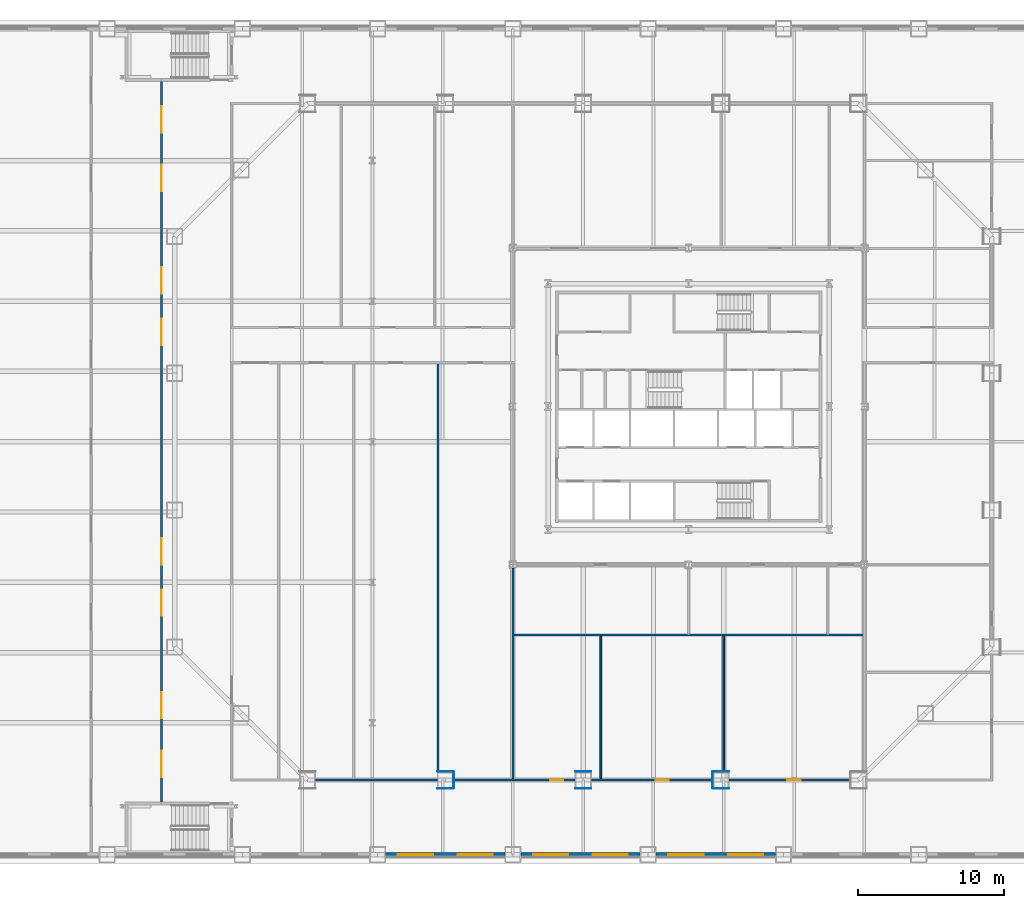
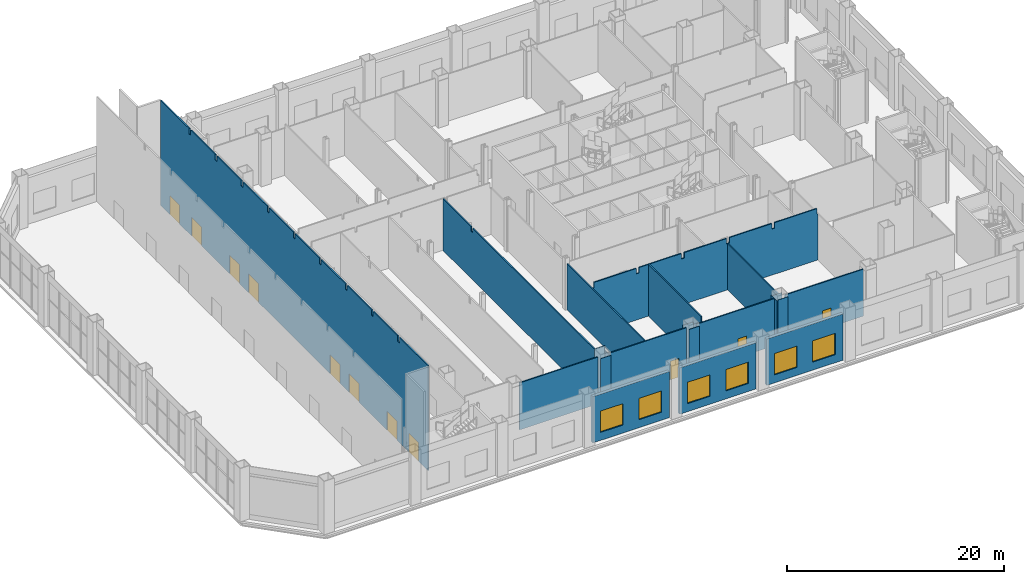
# One storey, part 17 of 31: 21 walls, 11 doors, 6 windows, 17 openings.
"""IFC4 building model written with IfcOpenShell, lengths in metres."""

import ifcopenshell
import ifcopenshell.guid

model = None  # the IFC model being written
_history = None  # IfcOwnerHistory: only IFC2X3 demands one
_inside = {}  # id of a spatial element -> (the spatial element, [elements in it])
_under = {}  # id of a project, library or spatial element -> (it, [spatial elements below it])
_declared = {}  # id of a project -> (the project, [libraries it declares])
_typed = {}  # id of a type object -> (the type object, [elements of that type])
_made_of = {}  # id of a material, layer set ... -> (it, [elements and type objects made of it])


def new_model(schema):
    """Start an empty IFC model of exactly this schema.

    Asked for "IFC4X3", IfcOpenShell would pick the latest addendum, in which some entities
    have other attributes; the version numbers below select the first issue.
    IFC2X3 requires an IfcOwnerHistory on every rooted entity: one is made here for all.
    """
    global model, _history
    if schema == "IFC4X3":
        model = ifcopenshell.file(schema_version=(4, 3, 0, 0))
    else:
        model = ifcopenshell.file(schema=schema)
    _inside.clear()
    _under.clear()
    _declared.clear()
    _typed.clear()
    _made_of.clear()
    _history = None
    if model.schema == "IFC2X3":
        org = make("IfcOrganization", Name="unknown")
        user = make(
            "IfcPersonAndOrganization",
            ThePerson=make("IfcPerson", FamilyName="unknown"),
            TheOrganization=org,
        )
        app = make(
            "IfcApplication",
            ApplicationDeveloper=org,
            Version="unknown",
            ApplicationFullName="unknown",
            ApplicationIdentifier="unknown",
        )
        _history = make(
            "IfcOwnerHistory",
            OwningUser=user,
            OwningApplication=app,
            ChangeAction="ADDED",
            CreationDate=0,
        )
    return model


def make(cls, **values):
    """One entity of the class cls with the attributes given. An attribute that is None is left unset."""
    return model.create_entity(
        cls, **{name: value for name, value in values.items() if value is not None}
    )


def rooted(cls, **values):
    """An entity with a GlobalId (a new one), such as an element, a storey or a relation."""
    return make(cls, GlobalId=ifcopenshell.guid.new(), OwnerHistory=_history, **values)


def si_unit(unit_type, name, prefix=None):
    """IfcSIUnit, for example si_unit("LENGTHUNIT", "METRE", prefix="MILLI")."""
    return make("IfcSIUnit", UnitType=unit_type, Prefix=prefix, Name=name)


def assignment(units):
    """IfcUnitAssignment: the units of a project."""
    return None if units is None else make("IfcUnitAssignment", Units=units)


def point(xyz):
    """IfcCartesianPoint."""
    return None if xyz is None else make("IfcCartesianPoint", Coordinates=xyz)


def direction(xyz):
    """IfcDirection."""
    return None if xyz is None else make("IfcDirection", DirectionRatios=xyz)


def frame(location, z_axis=None, x_axis=None):
    """IfcAxis2Placement3D, a coordinate frame: its origin and axes. An axis left out is left unset."""
    return make(
        "IfcAxis2Placement3D",
        Location=point(location),
        Axis=direction(z_axis),
        RefDirection=direction(x_axis),
    )


def frame_2d(location, x_axis=None):
    """IfcAxis2Placement2D, a coordinate frame in the plane: its origin and x axis."""
    return make(
        "IfcAxis2Placement2D", Location=point(location), RefDirection=direction(x_axis)
    )


def origin():
    """The frame at (0, 0, 0) with its axes left unset."""
    return frame((0.0, 0.0, 0.0))


def place(relative_to, where):
    """IfcLocalPlacement: puts the frame where relative to a parent placement (None: the world)."""
    return make(
        "IfcLocalPlacement", PlacementRelTo=relative_to, RelativePlacement=where
    )


def context(
    kind, dimensions, precision=None, world=None, true_north=None, identifier=None
):
    """IfcGeometricRepresentationContext, for example the 3D "Model" context."""
    return make(
        "IfcGeometricRepresentationContext",
        ContextIdentifier=identifier,
        ContextType=kind,
        CoordinateSpaceDimension=dimensions,
        Precision=precision,
        WorldCoordinateSystem=world,
        TrueNorth=true_north,
    )


def subcontext(parent, identifier, kind, view, scale=None):
    """IfcGeometricRepresentationSubContext, for example "Body" below "Model"."""
    return make(
        "IfcGeometricRepresentationSubContext",
        ContextIdentifier=identifier,
        ContextType=kind,
        ParentContext=parent,
        TargetScale=scale,
        TargetView=view,
    )


def project(units=None, contexts=None):
    """IfcProject with its units and contexts."""
    return rooted(
        "IfcProject",
        Name="project",
        RepresentationContexts=contexts,
        UnitsInContext=assignment(units),
    )


def spatial(cls, under=None, at=None, **own):
    """A site, building, storey or space (cls), placed at a placement, below another one or the project."""
    s = rooted(cls, ObjectPlacement=at, **own)
    if under is not None:
        _under.setdefault(under.id(), (under, []))[1].append(s)
    return s


def polyline(points):
    """IfcPolyline through the points."""
    return make("IfcPolyline", Points=[point(p) for p in points])


def profile(cls, at=None, kind="AREA", **sizes):
    """A parametric profile (cls). Its sizes go by their IFC names, for example OverallWidth=200.0."""
    return make(cls, ProfileType=kind, Position=at, **sizes)


def rectangle(**sizes):
    """IfcRectangleProfileDef."""
    return profile("IfcRectangleProfileDef", **sizes)


def outline(outer, holes=None, kind="AREA"):
    """IfcArbitraryClosedProfileDef: a profile drawn as a closed curve; with holes, ...WithVoids."""
    if holes is None:
        return make("IfcArbitraryClosedProfileDef", ProfileType=kind, OuterCurve=outer)
    return make(
        "IfcArbitraryProfileDefWithVoids",
        ProfileType=kind,
        OuterCurve=outer,
        InnerCurves=holes,
    )


def extrude(swept, where, along, depth):
    """IfcExtrudedAreaSolid: the profile swept, set in the frame where, extruded along a direction by depth."""
    return make(
        "IfcExtrudedAreaSolid",
        SweptArea=swept,
        Position=where,
        ExtrudedDirection=direction(along),
        Depth=depth,
    )


def shape(context_of_items, identifier, shape_type, items):
    """IfcShapeRepresentation: the items that make up one representation, for example the "Body"."""
    return make(
        "IfcShapeRepresentation",
        ContextOfItems=context_of_items,
        RepresentationIdentifier=identifier,
        RepresentationType=shape_type,
        Items=items,
    )


def material(Name=None, Category=None):
    """IfcMaterial."""
    return make("IfcMaterial", Name=Name, Category=Category)


def layer(
    of_material, thickness, ventilated=None, Name=None, Category=None, Priority=None
):
    """IfcMaterialLayer: one layer of a wall or slab, of a material (None: an air gap)."""
    return make(
        "IfcMaterialLayer",
        Material=of_material,
        LayerThickness=thickness,
        IsVentilated=ventilated,
        Name=Name,
        Category=Category,
        Priority=Priority,
    )


def layer_set(layers, Name=None):
    """IfcMaterialLayerSet."""
    return make("IfcMaterialLayerSet", MaterialLayers=layers, LayerSetName=Name)


def made_of(thing, what):
    """Note that an element or type object is made of a material, layer set ...; save() writes the relation."""
    if what is not None:
        _made_of.setdefault(what.id(), (what, []))[1].append(thing)
    return thing


def type_object(cls, material=None, **own):
    """A type object (cls), such as IfcWallType, which elements share."""
    return made_of(rooted(cls, **own), material)


def element(
    cls,
    number,
    at=None,
    inside=None,
    cuts=None,
    type_object=None,
    material=None,
    context=None,
    identifier="Body",
    shape_type=None,
    held_by="IfcProductDefinitionShape",
    body=None,
    shapes=None,
    **own,
):
    """One element of the class cls, such as IfcWall. Its Tag is "e" and its number.

    at: its placement. inside: the storey or other place that contains it. cuts: it is an
    opening in that element (IfcRelVoidsElement). A single representation is given by context,
    identifier, shape_type and body (its items); several are given by shapes. held_by: the class
    of the entity that holds the representations. save() writes the other relations.
    """
    e = rooted(cls, Tag="e%d" % number, ObjectPlacement=at, **own)
    if body is not None:
        shapes = [shape(context, identifier, shape_type, body)]
    if shapes is not None:
        e.Representation = make(held_by, Representations=shapes)
    if inside is not None:
        _inside.setdefault(inside.id(), (inside, []))[1].append(e)
    if cuts is not None:
        rooted(
            "IfcRelVoidsElement", RelatingBuildingElement=cuts, RelatedOpeningElement=e
        )
    if type_object is not None:
        _typed.setdefault(type_object.id(), (type_object, []))[1].append(e)
    return made_of(e, material)


def fill(opening, filler):
    """IfcRelFillsElement: the door or window that sits in an opening."""
    return rooted(
        "IfcRelFillsElement",
        RelatingOpeningElement=opening,
        RelatedBuildingElement=filler,
    )


def aggregate(whole, parts):
    """IfcRelAggregates: a whole, such as a stair, and the parts it consists of."""
    return rooted("IfcRelAggregates", RelatingObject=whole, RelatedObjects=parts)


def save(model, path):
    """Write the relations noted so far, then the file.

    IfcRelAggregates (storeys below a building ...), IfcRelContainedInSpatialStructure (elements
    in a storey), IfcRelDefinesByType, IfcRelAssociatesMaterial and IfcRelDeclares: one each for
    every whole, place, type object, material and project.
    """
    for whole, parts in _under.values():
        aggregate(whole, parts)
    for where, things in _inside.values():
        rooted(
            "IfcRelContainedInSpatialStructure",
            RelatedElements=things,
            RelatingStructure=where,
        )
    for kind, things in _typed.values():
        rooted("IfcRelDefinesByType", RelatedObjects=things, RelatingType=kind)
    for what, things in _made_of.values():
        rooted("IfcRelAssociatesMaterial", RelatedObjects=things, RelatingMaterial=what)
    for by, libraries in _declared.values():
        rooted("IfcRelDeclares", RelatingContext=by, RelatedDefinitions=libraries)
    model.write(path)


model = new_model("IFC4")

# Units and contexts
model_context = context("Model", 3, precision=1e-05, world=origin(), true_north=direction((0.0, 1.0)))
body_context = subcontext(model_context, "Body", "Model", "MODEL_VIEW")
ifc_project = project(units=[si_unit("LENGTHUNIT", "METRE"), si_unit("AREAUNIT", "SQUARE_METRE"), si_unit("VOLUMEUNIT", "CUBIC_METRE"), si_unit("PLANEANGLEUNIT", "RADIAN"), si_unit("MASSUNIT", "GRAM", prefix="KILO")], contexts=[model_context])

# Site, building, storey
site_placement = place(None, origin())
site = spatial("IfcSite", under=ifc_project, at=site_placement, CompositionType="ELEMENT")
building_placement = place(site_placement, origin())
building = spatial("IfcBuilding", under=site, at=building_placement, Name="Cairn Pilgrim Tower", CompositionType="ELEMENT")
storey_placement = place(building_placement, frame((0.0, 0.0, 9.0)))
storey = spatial("IfcBuildingStorey", under=building, at=storey_placement, Name="L01", CompositionType="ELEMENT", Elevation=9.0)

# Wall, openings, doors
ifc_material_1 = material(Name="Gypsum partition")
ifc_layer_1 = layer(ifc_material_1, 0.125)
ifc_layer_set_1 = layer_set([ifc_layer_1], Name="PARTITION 125 DRYWALL EI 60")
wall_type_1 = type_object("IfcWallType", Name="PARTITION 125 DRYWALL EI 60", PredefinedType="PARTITIONING", material=ifc_layer_set_1)
wall_1_placement = place(storey_placement, frame((-28.800048828125, -24.60009765625, 0.0), z_axis=(0.0, 0.0, 1.0), x_axis=(0.0, 1.0, 0.0)))
wall_1 = element("IfcWall", 1, at=wall_1_placement, inside=storey, type_object=wall_type_1, Name="PARTITION W009", PredefinedType="PARTITIONING", context=body_context, shape_type="SweptSolid", body=[
    extrude(outline(polyline([(0.0, 0.0), (49.2001953125, 0.0), (49.199951171875, 11.800048828125), (43.949951171875, 11.800048828125), (43.947998046875, 11.179931640625), (43.64990234375, 11.179931640625), (43.64794921875, 11.800048828125), (39.14990234375, 11.800048828125), (39.14794921875, 11.179931640625), (38.85009765625, 11.179931640625), (38.847900390625, 11.800048828125), (34.35009765625, 11.800048828125), (34.347900390625, 11.179931640625), (34.050048828125, 11.179931640625), (34.048095703125, 11.800048828125), (29.550048828125, 11.800048828125), (29.548095703125, 11.179931640625), (29.25, 11.179931640625), (29.248046875, 11.800048828125), (24.75, 11.800048828125), (24.748046875, 11.179931640625), (24.449951171875, 11.179931640625), (24.447998046875, 11.800048828125), (19.949951171875, 11.800048828125), (19.947998046875, 11.179931640625), (19.64990234375, 11.179931640625), (19.64794921875, 11.800048828125), (15.14990234375, 11.800048828125), (15.14794921875, 11.179931640625), (14.85009765625, 11.179931640625), (14.847900390625, 11.800048828125), (10.35009765625, 11.800048828125), (10.347900390625, 11.179931640625), (10.050048828125, 11.179931640625), (10.048095703125, 11.800048828125), (5.550048828125, 11.800048828125), (5.548095703125, 11.179931640625), (5.25, 11.179931640625), (5.248046875, 11.800048828125), (0.0, 11.800048828125), (0.0, 0.0)])), frame((0.0, 0.0625, 0.0), z_axis=(0.0, -1.0, 0.0), x_axis=(1.0, 0.0, 0.0)), (0.0, 0.0, 1.0), 0.125),
])
opening_1_placement = place(wall_1_placement, frame((1.699951171875, 0.0, 0.0)))
opening_1 = element("IfcOpeningElement", 2, at=opening_1_placement, cuts=wall_1, Name="Opening 0142", PredefinedType="OPENING", context=body_context, shape_type="SweptSolid", body=[
    extrude(rectangle(XDim=1.800048828125, YDim=2.10009765625, at=frame_2d((0.89990234375, 1.050048828125))), frame((0.0, 0.072509765625, 0.0), z_axis=(0.0, -1.0, 0.0), x_axis=(1.0, 0.0, 0.0)), (0.0, 0.0, 1.0), 0.14501953125),
])
opening_2_placement = place(wall_1_placement, frame((5.699951171875, 0.0, 0.0)))
opening_2 = element("IfcOpeningElement", 3, at=opening_2_placement, cuts=wall_1, Name="Opening 0143", PredefinedType="OPENING", context=body_context, shape_type="SweptSolid", body=[
    extrude(rectangle(XDim=1.800048828125, YDim=2.10009765625, at=frame_2d((0.89990234375, 1.050048828125))), frame((0.0, 0.072509765625, 0.0), z_axis=(0.0, -1.0, 0.0), x_axis=(1.0, 0.0, 0.0)), (0.0, 0.0, 1.0), 0.14501953125),
])
opening_3_placement = place(wall_1_placement, frame((12.699951171875, 0.0, 0.0)))
opening_3 = element("IfcOpeningElement", 4, at=opening_3_placement, cuts=wall_1, Name="Opening 0144", PredefinedType="OPENING", context=body_context, shape_type="SweptSolid", body=[
    extrude(rectangle(XDim=1.800048828125, YDim=2.10009765625, at=frame_2d((0.89990234375, 1.050048828125))), frame((0.0, 0.072509765625, 0.0), z_axis=(0.0, -1.0, 0.0), x_axis=(1.0, 0.0, 0.0)), (0.0, 0.0, 1.0), 0.14501953125),
])
opening_4_placement = place(wall_1_placement, frame((16.199951171875, 0.0, 0.0)))
opening_4 = element("IfcOpeningElement", 5, at=opening_4_placement, cuts=wall_1, Name="Opening 0145", PredefinedType="OPENING", context=body_context, shape_type="SweptSolid", body=[
    extrude(rectangle(XDim=1.800048828125, YDim=2.10009765625, at=frame_2d((0.89990234375, 1.050048828125))), frame((0.0, 0.072509765625, 0.0), z_axis=(0.0, -1.0, 0.0), x_axis=(1.0, 0.0, 0.0)), (0.0, 0.0, 1.0), 0.14501953125),
])
opening_5_placement = place(wall_1_placement, frame((31.199951171875, 0.0, 0.0)))
opening_5 = element("IfcOpeningElement", 6, at=opening_5_placement, cuts=wall_1, Name="Opening 0146", PredefinedType="OPENING", context=body_context, shape_type="SweptSolid", body=[
    extrude(rectangle(XDim=1.800048828125, YDim=2.10009765625, at=frame_2d((0.89990234375, 1.050048828125))), frame((0.0, 0.072509765625, 0.0), z_axis=(0.0, -1.0, 0.0), x_axis=(1.0, 0.0, 0.0)), (0.0, 0.0, 1.0), 0.14501953125),
])
opening_6_placement = place(wall_1_placement, frame((34.699951171875, 0.0, 0.0)))
opening_6 = element("IfcOpeningElement", 7, at=opening_6_placement, cuts=wall_1, Name="Opening 0147", PredefinedType="OPENING", context=body_context, shape_type="SweptSolid", body=[
    extrude(rectangle(XDim=1.800048828125, YDim=2.10009765625, at=frame_2d((0.89990234375, 1.050048828125))), frame((0.0, 0.072509765625, 0.0), z_axis=(0.0, -1.0, 0.0), x_axis=(1.0, 0.0, 0.0)), (0.0, 0.0, 1.0), 0.14501953125),
])
opening_7_placement = place(wall_1_placement, frame((41.699951171875, 0.0, 0.0)))
opening_7 = element("IfcOpeningElement", 8, at=opening_7_placement, cuts=wall_1, Name="Opening 0148", PredefinedType="OPENING", context=body_context, shape_type="SweptSolid", body=[
    extrude(rectangle(XDim=1.800048828125, YDim=2.10009765625, at=frame_2d((0.89990234375, 1.050048828125))), frame((0.0, 0.072509765625, 0.0), z_axis=(0.0, -1.0, 0.0), x_axis=(1.0, 0.0, 0.0)), (0.0, 0.0, 1.0), 0.14501953125),
])
opening_8_placement = place(wall_1_placement, frame((45.699951171875, 0.0, 0.0)))
opening_8 = element("IfcOpeningElement", 9, at=opening_8_placement, cuts=wall_1, Name="Opening 0149", PredefinedType="OPENING", context=body_context, shape_type="SweptSolid", body=[
    extrude(rectangle(XDim=1.800048828125, YDim=2.10009765625, at=frame_2d((0.89990234375, 1.050048828125))), frame((0.0, 0.072509765625, 0.0), z_axis=(0.0, -1.0, 0.0), x_axis=(1.0, 0.0, 0.0)), (0.0, 0.0, 1.0), 0.14501953125),
])
ifc_material_2 = material(Name="Timber door leaf", Category="wood")
door_type_1 = type_object("IfcDoorType", Name="DOOR PAIR 1800x2100 FD60S", OperationType="NOTDEFINED", PredefinedType="DOOR", material=ifc_material_2)
door_1_placement = place(opening_1_placement, frame((1.800048828125, 0.0, 0.0), z_axis=(0.0, 0.0, 1.0), x_axis=(-1.0, 0.0, 0.0)))
door_1 = element("IfcDoor", 10, at=door_1_placement, inside=storey, type_object=door_type_1, Name="DOOR 0142", OperationType="DOUBLE_DOOR_SINGLE_SWING", OverallHeight=2.10009765625, OverallWidth=1.800048828125, PredefinedType="DOOR", context=body_context, shape_type="SweptSolid", body=[
    extrude(rectangle(XDim=1.800048828125, YDim=2.10009765625, at=frame_2d((0.89990234375, 1.050048828125))), frame((0.0, 0.02490234375, 0.0), z_axis=(0.0, -1.0, 0.0), x_axis=(1.0, 0.0, 0.0)), (0.0, 0.0, 1.0), 0.050048828125),
])
fill(opening_1, door_1)
door_2_placement = place(opening_2_placement, frame((1.800048828125, 0.0, 0.0), z_axis=(0.0, 0.0, 1.0), x_axis=(-1.0, 0.0, 0.0)))
door_2 = element("IfcDoor", 11, at=door_2_placement, inside=storey, type_object=door_type_1, Name="DOOR 0143", OperationType="DOUBLE_DOOR_SINGLE_SWING", OverallHeight=2.10009765625, OverallWidth=1.800048828125, PredefinedType="DOOR", context=body_context, shape_type="SweptSolid", body=[
    extrude(rectangle(XDim=1.800048828125, YDim=2.10009765625, at=frame_2d((0.89990234375, 1.050048828125))), frame((0.0, 0.02490234375, 0.0), z_axis=(0.0, -1.0, 0.0), x_axis=(1.0, 0.0, 0.0)), (0.0, 0.0, 1.0), 0.050048828125),
])
fill(opening_2, door_2)
door_3_placement = place(opening_3_placement, frame((1.800048828125, 0.0, 0.0), z_axis=(0.0, 0.0, 1.0), x_axis=(-1.0, 0.0, 0.0)))
door_3 = element("IfcDoor", 12, at=door_3_placement, inside=storey, type_object=door_type_1, Name="DOOR 0144", OperationType="DOUBLE_DOOR_SINGLE_SWING", OverallHeight=2.10009765625, OverallWidth=1.800048828125, PredefinedType="DOOR", context=body_context, shape_type="SweptSolid", body=[
    extrude(rectangle(XDim=1.800048828125, YDim=2.10009765625, at=frame_2d((0.89990234375, 1.050048828125))), frame((0.0, 0.02490234375, 0.0), z_axis=(0.0, -1.0, 0.0), x_axis=(1.0, 0.0, 0.0)), (0.0, 0.0, 1.0), 0.050048828125),
])
fill(opening_3, door_3)
door_4_placement = place(opening_4_placement, frame((1.800048828125, 0.0, 0.0), z_axis=(0.0, 0.0, 1.0), x_axis=(-1.0, 0.0, 0.0)))
door_4 = element("IfcDoor", 13, at=door_4_placement, inside=storey, type_object=door_type_1, Name="DOOR 0145", OperationType="DOUBLE_DOOR_SINGLE_SWING", OverallHeight=2.10009765625, OverallWidth=1.800048828125, PredefinedType="DOOR", context=body_context, shape_type="SweptSolid", body=[
    extrude(rectangle(XDim=1.800048828125, YDim=2.10009765625, at=frame_2d((0.89990234375, 1.050048828125))), frame((0.0, 0.02490234375, 0.0), z_axis=(0.0, -1.0, 0.0), x_axis=(1.0, 0.0, 0.0)), (0.0, 0.0, 1.0), 0.050048828125),
])
fill(opening_4, door_4)
door_5_placement = place(opening_5_placement, frame((1.800048828125, 0.0, 0.0), z_axis=(0.0, 0.0, 1.0), x_axis=(-1.0, 0.0, 0.0)))
door_5 = element("IfcDoor", 14, at=door_5_placement, inside=storey, type_object=door_type_1, Name="DOOR 0146", OperationType="DOUBLE_DOOR_SINGLE_SWING", OverallHeight=2.10009765625, OverallWidth=1.800048828125, PredefinedType="DOOR", context=body_context, shape_type="SweptSolid", body=[
    extrude(rectangle(XDim=1.800048828125, YDim=2.10009765625, at=frame_2d((0.89990234375, 1.050048828125))), frame((0.0, 0.02490234375, 0.0), z_axis=(0.0, -1.0, 0.0), x_axis=(1.0, 0.0, 0.0)), (0.0, 0.0, 1.0), 0.050048828125),
])
fill(opening_5, door_5)
door_6_placement = place(opening_6_placement, frame((1.800048828125, 0.0, 0.0), z_axis=(0.0, 0.0, 1.0), x_axis=(-1.0, 0.0, 0.0)))
door_6 = element("IfcDoor", 15, at=door_6_placement, inside=storey, type_object=door_type_1, Name="DOOR 0147", OperationType="DOUBLE_DOOR_SINGLE_SWING", OverallHeight=2.10009765625, OverallWidth=1.800048828125, PredefinedType="DOOR", context=body_context, shape_type="SweptSolid", body=[
    extrude(rectangle(XDim=1.800048828125, YDim=2.10009765625, at=frame_2d((0.89990234375, 1.050048828125))), frame((0.0, 0.02490234375, 0.0), z_axis=(0.0, -1.0, 0.0), x_axis=(1.0, 0.0, 0.0)), (0.0, 0.0, 1.0), 0.050048828125),
])
fill(opening_6, door_6)
door_7_placement = place(opening_7_placement, frame((1.800048828125, 0.0, 0.0), z_axis=(0.0, 0.0, 1.0), x_axis=(-1.0, 0.0, 0.0)))
door_7 = element("IfcDoor", 16, at=door_7_placement, inside=storey, type_object=door_type_1, Name="DOOR 0148", OperationType="DOUBLE_DOOR_SINGLE_SWING", OverallHeight=2.10009765625, OverallWidth=1.800048828125, PredefinedType="DOOR", context=body_context, shape_type="SweptSolid", body=[
    extrude(rectangle(XDim=1.800048828125, YDim=2.10009765625, at=frame_2d((0.89990234375, 1.050048828125))), frame((0.0, 0.02490234375, 0.0), z_axis=(0.0, -1.0, 0.0), x_axis=(1.0, 0.0, 0.0)), (0.0, 0.0, 1.0), 0.050048828125),
])
fill(opening_7, door_7)
door_8_placement = place(opening_8_placement, frame((1.800048828125, 0.0, 0.0), z_axis=(0.0, 0.0, 1.0), x_axis=(-1.0, 0.0, 0.0)))
door_8 = element("IfcDoor", 17, at=door_8_placement, inside=storey, type_object=door_type_1, Name="DOOR 0149", OperationType="DOUBLE_DOOR_SINGLE_SWING", OverallHeight=2.10009765625, OverallWidth=1.800048828125, PredefinedType="DOOR", context=body_context, shape_type="SweptSolid", body=[
    extrude(rectangle(XDim=1.800048828125, YDim=2.10009765625, at=frame_2d((0.89990234375, 1.050048828125))), frame((0.0, 0.02490234375, 0.0), z_axis=(0.0, -1.0, 0.0), x_axis=(1.0, 0.0, 0.0)), (0.0, 0.0, 1.0), 0.050048828125),
])
fill(opening_8, door_8)

# Wall
wall_2_placement = place(storey_placement, frame((-18.277099609375, -23.10009765625, 0.0), z_axis=(0.0, 0.0, 1.0), x_axis=(1.0, 0.0, 0.0)))
element("IfcWall", 18, at=wall_2_placement, inside=storey, type_object=wall_type_1, Name="PARTITION W011", PredefinedType="PARTITIONING", context=body_context, shape_type="SweptSolid", body=[
    extrude(rectangle(XDim=8.3134765625, YDim=0.125, at=frame_2d((4.15673828125, 0.0))), origin(), (0.0, 0.0, 1.0), 5.280029296875),
])

# Wall, opening, door
wall_3_placement = place(storey_placement, frame((-8.863525390625, -23.10009765625, 0.0), z_axis=(0.0, 0.0, 1.0), x_axis=(1.0, 0.0, 0.0)))
wall_3 = element("IfcWall", 19, at=wall_3_placement, inside=storey, type_object=wall_type_1, Name="PARTITION W012", PredefinedType="PARTITIONING", context=body_context, shape_type="SweptSolid", body=[
    extrude(rectangle(XDim=8.3134765625, YDim=0.125, at=frame_2d((4.15673828125, 0.0))), origin(), (0.0, 0.0, 1.0), 5.280029296875),
])
opening_9_placement = place(wall_3_placement, frame((6.613525390625, 0.0, 0.0)))
opening_9 = element("IfcOpeningElement", 20, at=opening_9_placement, cuts=wall_3, Name="Opening 0115", PredefinedType="OPENING", context=body_context, shape_type="SweptSolid", body=[
    extrude(rectangle(XDim=0.89990234375, YDim=2.10009765625, at=frame_2d((0.449951171875, 1.050048828125))), frame((0.0, 0.072509765625, 0.0), z_axis=(0.0, -1.0, 0.0), x_axis=(1.0, 0.0, 0.0)), (0.0, 0.0, 1.0), 0.14501953125),
])
door_type_2 = type_object("IfcDoorType", Name="SERVICE DOOR 900x2100 FD30S", OperationType="NOTDEFINED", PredefinedType="DOOR", material=ifc_material_2)
door_9_placement = place(opening_9_placement, frame((0.89990234375, 0.0, 0.0), z_axis=(0.0, 0.0, 1.0), x_axis=(-1.0, 0.0, 0.0)))
door_9 = element("IfcDoor", 21, at=door_9_placement, inside=storey, type_object=door_type_2, Name="DOOR 0115", OperationType="SINGLE_SWING_LEFT", OverallHeight=2.10009765625, OverallWidth=0.89990234375, PredefinedType="DOOR", context=body_context, shape_type="SweptSolid", body=[
    extrude(rectangle(XDim=0.89990234375, YDim=2.10009765625, at=frame_2d((0.449951171875, 1.050048828125))), frame((0.0, 0.02490234375, 0.0), z_axis=(0.0, -1.0, 0.0), x_axis=(1.0, 0.0, 0.0)), (0.0, 0.0, 1.0), 0.050048828125),
])
fill(opening_9, door_9)

wall_4_placement = place(storey_placement, frame((0.550048828125, -23.10009765625, 0.0), z_axis=(0.0, 0.0, 1.0), x_axis=(1.0, 0.0, 0.0)))
wall_4 = element("IfcWall", 22, at=wall_4_placement, inside=storey, type_object=wall_type_1, Name="PARTITION W013", PredefinedType="PARTITIONING", context=body_context, shape_type="SweptSolid", body=[
    extrude(rectangle(XDim=8.3134765625, YDim=0.125, at=frame_2d((4.15673828125, 0.0))), origin(), (0.0, 0.0, 1.0), 5.280029296875),
])
opening_10_placement = place(wall_4_placement, frame((4.39990234375, 0.0, 0.0)))
opening_10 = element("IfcOpeningElement", 23, at=opening_10_placement, cuts=wall_4, Name="Opening 0116", PredefinedType="OPENING", context=body_context, shape_type="SweptSolid", body=[
    extrude(rectangle(XDim=0.89990234375, YDim=2.10009765625, at=frame_2d((0.449951171875, 1.050048828125))), frame((0.0, 0.072509765625, 0.0), z_axis=(0.0, -1.0, 0.0), x_axis=(1.0, 0.0, 0.0)), (0.0, 0.0, 1.0), 0.14501953125),
])
door_10_placement = place(opening_10_placement, frame((0.89990234375, 0.0, 0.0), z_axis=(0.0, 0.0, 1.0), x_axis=(-1.0, 0.0, 0.0)))
door_10 = element("IfcDoor", 24, at=door_10_placement, inside=storey, type_object=door_type_2, Name="DOOR 0116", OperationType="SINGLE_SWING_LEFT", OverallHeight=2.10009765625, OverallWidth=0.89990234375, PredefinedType="DOOR", context=body_context, shape_type="SweptSolid", body=[
    extrude(rectangle(XDim=0.89990234375, YDim=2.10009765625, at=frame_2d((0.449951171875, 1.050048828125))), frame((0.0, 0.02490234375, 0.0), z_axis=(0.0, -1.0, 0.0), x_axis=(1.0, 0.0, 0.0)), (0.0, 0.0, 1.0), 0.050048828125),
])
fill(opening_10, door_10)

wall_5_placement = place(storey_placement, frame((9.963623046875, -23.10009765625, 0.0), z_axis=(0.0, 0.0, 1.0), x_axis=(1.0, 0.0, 0.0)))
wall_5 = element("IfcWall", 25, at=wall_5_placement, inside=storey, type_object=wall_type_1, Name="PARTITION W014", PredefinedType="PARTITIONING", context=body_context, shape_type="SweptSolid", body=[
    extrude(rectangle(XDim=8.3134765625, YDim=0.125, at=frame_2d((4.15673828125, 0.0))), origin(), (0.0, 0.0, 1.0), 5.280029296875),
])
opening_11_placement = place(wall_5_placement, frame((3.986328125, 0.0, 0.0)))
opening_11 = element("IfcOpeningElement", 26, at=opening_11_placement, cuts=wall_5, Name="Opening 0117", PredefinedType="OPENING", context=body_context, shape_type="SweptSolid", body=[
    extrude(rectangle(XDim=0.89990234375, YDim=2.10009765625, at=frame_2d((0.449951171875, 1.050048828125))), frame((0.0, 0.072509765625, 0.0), z_axis=(0.0, -1.0, 0.0), x_axis=(1.0, 0.0, 0.0)), (0.0, 0.0, 1.0), 0.14501953125),
])
door_type_3 = type_object("IfcDoorType", Name="ROOM DOOR 900x2100 FD30S", OperationType="NOTDEFINED", PredefinedType="DOOR", material=ifc_material_2)
door_11_placement = place(opening_11_placement, frame((0.89990234375, 0.0, 0.0), z_axis=(0.0, 0.0, 1.0), x_axis=(-1.0, 0.0, 0.0)))
door_11 = element("IfcDoor", 27, at=door_11_placement, inside=storey, type_object=door_type_3, Name="DOOR 0117", OperationType="SINGLE_SWING_LEFT", OverallHeight=2.10009765625, OverallWidth=0.89990234375, PredefinedType="DOOR", context=body_context, shape_type="SweptSolid", body=[
    extrude(rectangle(XDim=0.89990234375, YDim=2.10009765625, at=frame_2d((0.449951171875, 1.050048828125))), frame((0.0, 0.02490234375, 0.0), z_axis=(0.0, -1.0, 0.0), x_axis=(1.0, 0.0, 0.0)), (0.0, 0.0, 1.0), 0.050048828125),
])
fill(opening_11, door_11)

# Walls
wall_6_placement = place(storey_placement, frame((-4.800048828125, -23.03759765625, 0.0), z_axis=(0.0, 0.0, 1.0), x_axis=(0.0, 1.0, 0.0)))
element("IfcWall", 28, at=wall_6_placement, inside=storey, type_object=wall_type_1, Name="PARTITION W019", PredefinedType="PARTITIONING", context=body_context, shape_type="SweptSolid", body=[
    extrude(rectangle(XDim=14.400634765625, YDim=0.125, at=frame_2d((7.2001953125, 0.0))), origin(), (0.0, 0.0, 1.0), 5.179931640625),
])
wall_7_placement = place(storey_placement, frame((1.199951171875, -23.03759765625, 0.0), z_axis=(0.0, 0.0, 1.0), x_axis=(0.0, 1.0, 0.0)))
element("IfcWall", 29, at=wall_7_placement, inside=storey, type_object=wall_type_1, Name="PARTITION W020", PredefinedType="PARTITIONING", context=body_context, shape_type="SweptSolid", body=[
    extrude(outline(polyline([(0.0, 0.0), (9.775146484375, 0.0), (9.77490234375, 5.800048828125), (0.08740234375, 5.800048828125), (0.08544921875, 5.280029296875), (0.0, 5.280029296875), (0.0, 0.0)])), frame((0.0, 0.0625, 0.0), z_axis=(0.0, -1.0, 0.0), x_axis=(1.0, 0.0, 0.0)), (0.0, 0.0, 1.0), 0.125),
])
wall_8_placement = place(storey_placement, frame((-9.919921875, -22.550048828125, 0.0), z_axis=(0.0, 0.0, 1.0), x_axis=(0.0, 1.0, 0.0)))
element("IfcWall", 30, at=wall_8_placement, inside=storey, type_object=wall_type_1, Name="PARTITION W022", PredefinedType="PARTITIONING", context=body_context, shape_type="SweptSolid", body=[
    extrude(outline(polyline([(0.0, 0.0), (27.887451171875, 0.0), (27.887451171875, 5.800048828125), (22.699951171875, 5.800048828125), (22.697998046875, 5.280029296875), (22.39990234375, 5.280029296875), (22.39794921875, 5.800048828125), (0.0, 5.800048828125), (0.0, 0.0)])), frame((0.0, 0.0625, 0.0), z_axis=(0.0, -1.0, 0.0), x_axis=(1.0, 0.0, 0.0)), (0.0, 0.0, 1.0), 0.125),
])
wall_9_placement = place(storey_placement, frame((9.60009765625, -22.550048828125, 0.0), z_axis=(0.0, 0.0, 1.0), x_axis=(0.0, 1.0, 0.0)))
element("IfcWall", 31, at=wall_9_placement, inside=storey, type_object=wall_type_1, Name="PARTITION W023", PredefinedType="PARTITIONING", context=body_context, shape_type="SweptSolid", body=[
    extrude(rectangle(XDim=9.28759765625, YDim=0.125, at=frame_2d((4.643798828125, 0.0))), origin(), (0.0, 0.0, 1.0), 5.179931640625),
])
wall_10_placement = place(storey_placement, frame((-4.737548828125, -13.199951171875, 0.0), z_axis=(0.0, 0.0, 1.0), x_axis=(1.0, 0.0, 0.0)))
element("IfcWall", 32, at=wall_10_placement, inside=storey, type_object=wall_type_1, Name="PARTITION W028", PredefinedType="PARTITIONING", context=body_context, shape_type="SweptSolid", body=[
    extrude(outline(polyline([(0.0, 0.0), (23.875, 0.0), (23.875, 5.179931640625), (23.78759765625, 5.179931640625), (23.785400390625, 5.800048828125), (19.28759765625, 5.800048828125), (19.285400390625, 5.179931640625), (18.987548828125, 5.179931640625), (18.985595703125, 5.800048828125), (14.487548828125, 5.800048828125), (14.485595703125, 5.179931640625), (14.1875, 5.179931640625), (14.185546875, 5.800048828125), (9.6875, 5.800048828125), (9.685546875, 5.179931640625), (9.387451171875, 5.179931640625), (9.385498046875, 5.800048828125), (4.887451171875, 5.800048828125), (4.885498046875, 5.179931640625), (4.58740234375, 5.179931640625), (4.58544921875, 5.800048828125), (0.08740234375, 5.800048828125), (0.08544921875, 5.179931640625), (0.0, 5.179931640625), (0.0, 0.0)])), frame((0.0, 0.0625, 0.0), z_axis=(0.0, -1.0, 0.0), x_axis=(1.0, 0.0, 0.0)), (0.0, 0.0, 1.0), 0.125),
])
ifc_layer_2 = layer(ifc_material_1, 0.050048828125)
ifc_layer_set_2 = layer_set([ifc_layer_2], Name="PARTITION 50 DRYWALL EI 60")
wall_type_2 = type_object("IfcWallType", Name="PARTITION 50 DRYWALL EI 60", PredefinedType="PARTITIONING", material=ifc_layer_set_2)
wall_11_placement = place(storey_placement, frame((-9.963623046875, -22.52490234375, 0.0), z_axis=(0.0, 0.0, 1.0), x_axis=(1.0, 0.0, 0.0)))
element("IfcWall", 33, at=wall_11_placement, inside=storey, type_object=wall_type_2, Name="COLUMN CASING WC03", PredefinedType="PARTITIONING", context=body_context, shape_type="SweptSolid", body=[
    extrude(rectangle(XDim=1.10009765625, YDim=0.050048828125, at=frame_2d((0.550048828125, 0.0))), origin(), (0.0, 0.0, 1.0), 5.800048828125),
])
wall_12_placement = place(storey_placement, frame((-9.963623046875, -23.675048828125, 0.0), z_axis=(0.0, 0.0, 1.0), x_axis=(1.0, 0.0, 0.0)))
element("IfcWall", 34, at=wall_12_placement, inside=storey, type_object=wall_type_2, Name="COLUMN CASING WC04", PredefinedType="PARTITIONING", context=body_context, shape_type="SweptSolid", body=[
    extrude(rectangle(XDim=1.10009765625, YDim=0.050048828125, at=frame_2d((0.550048828125, 0.0))), origin(), (0.0, 0.0, 1.0), 5.419921875),
])
wall_13_placement = place(storey_placement, frame((-0.550048828125, -22.52490234375, 0.0), z_axis=(0.0, 0.0, 1.0), x_axis=(1.0, 0.0, 0.0)))
element("IfcWall", 35, at=wall_13_placement, inside=storey, type_object=wall_type_2, Name="COLUMN CASING WC05", PredefinedType="PARTITIONING", context=body_context, shape_type="SweptSolid", body=[
    extrude(rectangle(XDim=1.10009765625, YDim=0.050048828125, at=frame_2d((0.550048828125, 0.0))), origin(), (0.0, 0.0, 1.0), 5.179931640625),
])
wall_14_placement = place(storey_placement, frame((-0.550048828125, -23.675048828125, 0.0), z_axis=(0.0, 0.0, 1.0), x_axis=(1.0, 0.0, 0.0)))
element("IfcWall", 36, at=wall_14_placement, inside=storey, type_object=wall_type_2, Name="COLUMN CASING WC06", PredefinedType="PARTITIONING", context=body_context, shape_type="SweptSolid", body=[
    extrude(rectangle(XDim=1.10009765625, YDim=0.050048828125, at=frame_2d((0.550048828125, 0.0))), origin(), (0.0, 0.0, 1.0), 5.419921875),
])
wall_15_placement = place(storey_placement, frame((8.863525390625, -22.52490234375, 0.0), z_axis=(0.0, 0.0, 1.0), x_axis=(1.0, 0.0, 0.0)))
element("IfcWall", 37, at=wall_15_placement, inside=storey, type_object=wall_type_2, Name="COLUMN CASING WC07", PredefinedType="PARTITIONING", context=body_context, shape_type="SweptSolid", body=[
    extrude(rectangle(XDim=1.10009765625, YDim=0.050048828125, at=frame_2d((0.550048828125, 0.0))), origin(), (0.0, 0.0, 1.0), 5.179931640625),
])
wall_16_placement = place(storey_placement, frame((8.863525390625, -23.675048828125, 0.0), z_axis=(0.0, 0.0, 1.0), x_axis=(1.0, 0.0, 0.0)))
element("IfcWall", 38, at=wall_16_placement, inside=storey, type_object=wall_type_2, Name="COLUMN CASING WC08", PredefinedType="PARTITIONING", context=body_context, shape_type="SweptSolid", body=[
    extrude(rectangle(XDim=1.10009765625, YDim=0.050048828125, at=frame_2d((0.550048828125, 0.0))), origin(), (0.0, 0.0, 1.0), 5.419921875),
])
for number, where, z_axis, x_axis, name in (
    (39, (-8.838623046875, -23.64990234375, 0.0), (0.0, 0.0, 1.0), (0.0, 1.0, 0.0), "COLUMN CASING WC11"),
    (40, (8.838623046875, -23.64990234375, 0.0), (0.0, 0.0, 1.0), (0.0, 1.0, 0.0), "COLUMN CASING WC13"),
):
    element("IfcWall", number, at=place(storey_placement, frame(where, z_axis=z_axis, x_axis=x_axis)), inside=storey, type_object=wall_type_2, Name=name, PredefinedType="PARTITIONING", context=body_context, shape_type="SweptSolid", body=[
        extrude(rectangle(XDim=1.099853515625, YDim=0.050048828125, at=frame_2d((0.5498046875, 0.0))), origin(), (0.0, 0.0, 1.0), 5.280029296875),
    ])

# Wall, openings, windows
ifc_material_3 = material(Name="Concrete C35/45 backup wall with bronze aluminium cladding", Category="concrete")
ifc_layer_3 = layer(ifc_material_3, 0.300048828125)
ifc_layer_set_3 = layer_set([ifc_layer_3], Name="PODIUM WALL 300 BRONZE-CLAD")
wall_type_3 = type_object("IfcWallType", Name="PODIUM WALL 300 BRONZE-CLAD", PredefinedType="SOLIDWALL", material=ifc_layer_set_3)
wall_17_placement = place(storey_placement, frame((-13.48779296875, -28.199951171875, 0.0), z_axis=(0.0, 0.0, 1.0), x_axis=(1.0, 0.0, 0.0)))
wall_17 = element("IfcWall", 41, at=wall_17_placement, inside=storey, type_object=wall_type_3, Name="PODIUM EXTERNAL WALL S4-S5", PredefinedType="SOLIDWALL", context=body_context, shape_type="SweptSolid", body=[
    extrude(rectangle(XDim=8.1376953125, YDim=0.300048828125, at=frame_2d((4.06884765625, 0.0))), origin(), (0.0, 0.0, 1.0), 5.199951171875),
])
opening_12_placement = place(wall_17_placement, frame((0.83447265625, 0.0, 0.89990234375)))
opening_12 = element("IfcOpeningElement", 42, at=opening_12_placement, cuts=wall_17, Name="Opening PW24", PredefinedType="OPENING", context=body_context, shape_type="SweptSolid", body=[
    extrude(rectangle(XDim=2.39990234375, YDim=2.39990234375, at=frame_2d((1.199951171875, 1.199951171875))), frame((0.0, 0.16015625, 0.0), z_axis=(0.0, -1.0, 0.0), x_axis=(1.0, 0.0, 0.0)), (0.0, 0.0, 1.0), 0.320068359375),
])
opening_13_placement = place(wall_17_placement, frame((4.9033203125, 0.0, 0.89990234375)))
opening_13 = element("IfcOpeningElement", 43, at=opening_13_placement, cuts=wall_17, Name="Opening PW24", PredefinedType="OPENING", context=body_context, shape_type="SweptSolid", body=[
    extrude(rectangle(XDim=2.39990234375, YDim=2.39990234375, at=frame_2d((1.199951171875, 1.199951171875))), frame((0.0, 0.16015625, 0.0), z_axis=(0.0, -1.0, 0.0), x_axis=(1.0, 0.0, 0.0)), (0.0, 0.0, 1.0), 0.320068359375),
])
ifc_material_4 = material(Name="Bronze anodised aluminium frame with tinted low-E glass", Category="aluminium")
window_type = type_object("IfcWindowType", Name="PODIUM FIXED WINDOW 2400x2400", PartitioningType="SINGLE_PANEL", PredefinedType="WINDOW", material=ifc_material_4)
window_1_placement = place(opening_12_placement, origin())
window_1 = element("IfcWindow", 44, at=window_1_placement, inside=storey, type_object=window_type, Name="PODIUM WINDOW", OverallHeight=2.39990234375, OverallWidth=2.39990234375, PartitioningType="SINGLE_PANEL", PredefinedType="WINDOW", context=body_context, shape_type="SweptSolid", body=[
    extrude(rectangle(XDim=2.39990234375, YDim=2.39990234375, at=frame_2d((1.199951171875, 1.199951171875))), frame((0.0, 0.030029296875, 0.0), z_axis=(0.0, -1.0, 0.0), x_axis=(1.0, 0.0, 0.0)), (0.0, 0.0, 1.0), 0.06005859375),
])
fill(opening_12, window_1)
window_2_placement = place(opening_13_placement, origin())
window_2 = element("IfcWindow", 45, at=window_2_placement, inside=storey, type_object=window_type, Name="PODIUM WINDOW", OverallHeight=2.39990234375, OverallWidth=2.39990234375, PartitioningType="SINGLE_PANEL", PredefinedType="WINDOW", context=body_context, shape_type="SweptSolid", body=[
    extrude(rectangle(XDim=2.39990234375, YDim=2.39990234375, at=frame_2d((1.199951171875, 1.199951171875))), frame((0.0, 0.030029296875, 0.0), z_axis=(0.0, -1.0, 0.0), x_axis=(1.0, 0.0, 0.0)), (0.0, 0.0, 1.0), 0.06005859375),
])
fill(opening_13, window_2)

wall_18_placement = place(storey_placement, frame((-4.25, -28.199951171875, 0.0), z_axis=(0.0, 0.0, 1.0), x_axis=(1.0, 0.0, 0.0)))
wall_18 = element("IfcWall", 46, at=wall_18_placement, inside=storey, type_object=wall_type_3, Name="PODIUM EXTERNAL WALL S5-S6", PredefinedType="SOLIDWALL", context=body_context, shape_type="SweptSolid", body=[
    extrude(rectangle(XDim=8.137939453125, YDim=0.300048828125, at=frame_2d((4.06884765625, 0.0))), origin(), (0.0, 0.0, 1.0), 5.199951171875),
])
opening_14_placement = place(wall_18_placement, frame((0.83447265625, 0.0, 0.89990234375)))
opening_14 = element("IfcOpeningElement", 47, at=opening_14_placement, cuts=wall_18, Name="Opening PW24", PredefinedType="OPENING", context=body_context, shape_type="SweptSolid", body=[
    extrude(rectangle(XDim=2.39990234375, YDim=2.39990234375, at=frame_2d((1.199951171875, 1.199951171875))), frame((0.0, 0.16015625, 0.0), z_axis=(0.0, -1.0, 0.0), x_axis=(1.0, 0.0, 0.0)), (0.0, 0.0, 1.0), 0.320068359375),
])
opening_15_placement = place(wall_18_placement, frame((4.9033203125, 0.0, 0.89990234375)))
opening_15 = element("IfcOpeningElement", 48, at=opening_15_placement, cuts=wall_18, Name="Opening PW24", PredefinedType="OPENING", context=body_context, shape_type="SweptSolid", body=[
    extrude(rectangle(XDim=2.39990234375, YDim=2.39990234375, at=frame_2d((1.199951171875, 1.199951171875))), frame((0.0, 0.16015625, 0.0), z_axis=(0.0, -1.0, 0.0), x_axis=(1.0, 0.0, 0.0)), (0.0, 0.0, 1.0), 0.320068359375),
])
window_3_placement = place(opening_14_placement, origin())
window_3 = element("IfcWindow", 49, at=window_3_placement, inside=storey, type_object=window_type, Name="PODIUM WINDOW", OverallHeight=2.39990234375, OverallWidth=2.39990234375, PartitioningType="SINGLE_PANEL", PredefinedType="WINDOW", context=body_context, shape_type="SweptSolid", body=[
    extrude(rectangle(XDim=2.39990234375, YDim=2.39990234375, at=frame_2d((1.199951171875, 1.199951171875))), frame((0.0, 0.030029296875, 0.0), z_axis=(0.0, -1.0, 0.0), x_axis=(1.0, 0.0, 0.0)), (0.0, 0.0, 1.0), 0.06005859375),
])
fill(opening_14, window_3)
window_4_placement = place(opening_15_placement, origin())
window_4 = element("IfcWindow", 50, at=window_4_placement, inside=storey, type_object=window_type, Name="PODIUM WINDOW", OverallHeight=2.39990234375, OverallWidth=2.39990234375, PartitioningType="SINGLE_PANEL", PredefinedType="WINDOW", context=body_context, shape_type="SweptSolid", body=[
    extrude(rectangle(XDim=2.39990234375, YDim=2.39990234375, at=frame_2d((1.199951171875, 1.199951171875))), frame((0.0, 0.030029296875, 0.0), z_axis=(0.0, -1.0, 0.0), x_axis=(1.0, 0.0, 0.0)), (0.0, 0.0, 1.0), 0.06005859375),
])
fill(opening_15, window_4)

wall_19_placement = place(storey_placement, frame((4.98779296875, -28.199951171875, 0.0), z_axis=(0.0, 0.0, 1.0), x_axis=(1.0, 0.0, 0.0)))
wall_19 = element("IfcWall", 51, at=wall_19_placement, inside=storey, type_object=wall_type_3, Name="PODIUM EXTERNAL WALL S6-S7", PredefinedType="SOLIDWALL", context=body_context, shape_type="SweptSolid", body=[
    extrude(rectangle(XDim=8.137939453125, YDim=0.300048828125, at=frame_2d((4.06884765625, 0.0))), origin(), (0.0, 0.0, 1.0), 5.199951171875),
])
opening_16_placement = place(wall_19_placement, frame((0.83447265625, 0.0, 0.89990234375)))
opening_16 = element("IfcOpeningElement", 52, at=opening_16_placement, cuts=wall_19, Name="Opening PW24", PredefinedType="OPENING", context=body_context, shape_type="SweptSolid", body=[
    extrude(rectangle(XDim=2.39990234375, YDim=2.39990234375, at=frame_2d((1.199951171875, 1.199951171875))), frame((0.0, 0.16015625, 0.0), z_axis=(0.0, -1.0, 0.0), x_axis=(1.0, 0.0, 0.0)), (0.0, 0.0, 1.0), 0.320068359375),
])
opening_17_placement = place(wall_19_placement, frame((4.9033203125, 0.0, 0.89990234375)))
opening_17 = element("IfcOpeningElement", 53, at=opening_17_placement, cuts=wall_19, Name="Opening PW24", PredefinedType="OPENING", context=body_context, shape_type="SweptSolid", body=[
    extrude(rectangle(XDim=2.39990234375, YDim=2.39990234375, at=frame_2d((1.199951171875, 1.199951171875))), frame((0.0, 0.16015625, 0.0), z_axis=(0.0, -1.0, 0.0), x_axis=(1.0, 0.0, 0.0)), (0.0, 0.0, 1.0), 0.320068359375),
])
window_5_placement = place(opening_16_placement, origin())
window_5 = element("IfcWindow", 54, at=window_5_placement, inside=storey, type_object=window_type, Name="PODIUM WINDOW", OverallHeight=2.39990234375, OverallWidth=2.39990234375, PartitioningType="SINGLE_PANEL", PredefinedType="WINDOW", context=body_context, shape_type="SweptSolid", body=[
    extrude(rectangle(XDim=2.39990234375, YDim=2.39990234375, at=frame_2d((1.199951171875, 1.199951171875))), frame((0.0, 0.030029296875, 0.0), z_axis=(0.0, -1.0, 0.0), x_axis=(1.0, 0.0, 0.0)), (0.0, 0.0, 1.0), 0.06005859375),
])
fill(opening_16, window_5)
window_6_placement = place(opening_17_placement, origin())
window_6 = element("IfcWindow", 55, at=window_6_placement, inside=storey, type_object=window_type, Name="PODIUM WINDOW", OverallHeight=2.39990234375, OverallWidth=2.39990234375, PartitioningType="SINGLE_PANEL", PredefinedType="WINDOW", context=body_context, shape_type="SweptSolid", body=[
    extrude(rectangle(XDim=2.39990234375, YDim=2.39990234375, at=frame_2d((1.199951171875, 1.199951171875))), frame((0.0, 0.030029296875, 0.0), z_axis=(0.0, -1.0, 0.0), x_axis=(1.0, 0.0, 0.0)), (0.0, 0.0, 1.0), 0.06005859375),
])
fill(opening_17, window_6)

save(model, "model.ifc")
